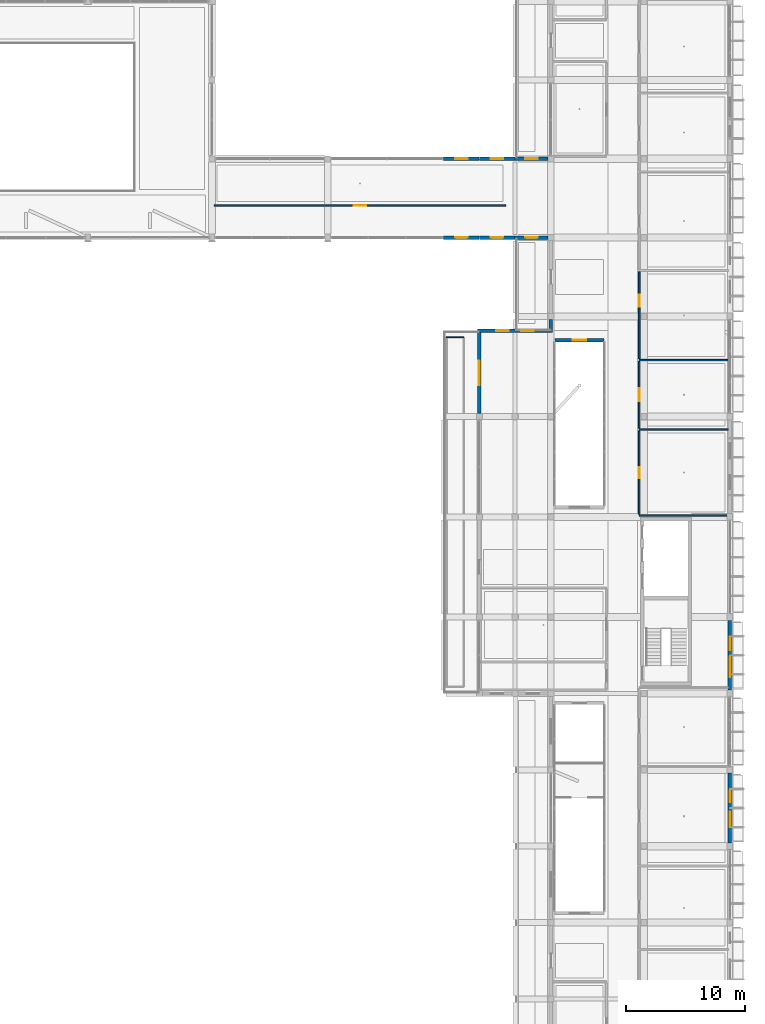
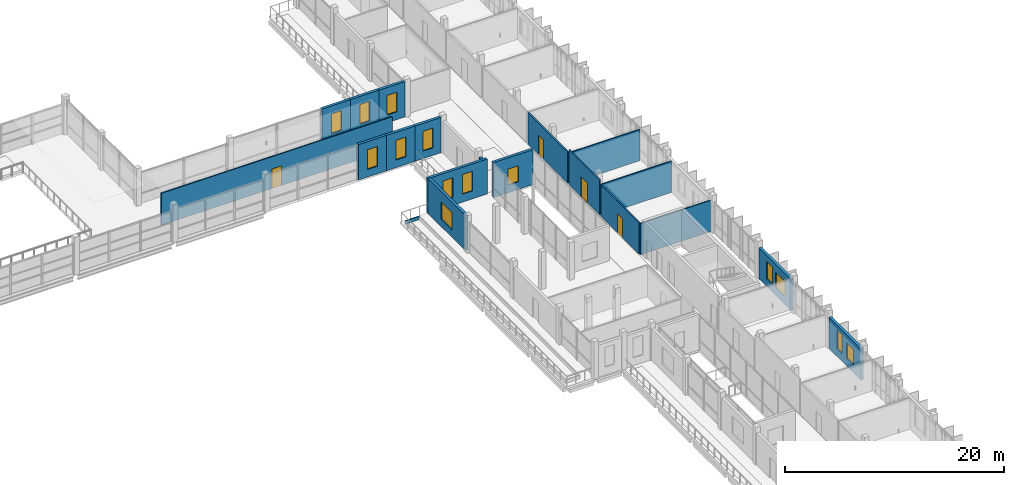
# One storey, part 54 of 85: 20 walls, 14 windows, 4 doors, 18 openings.
"""IFC4 building model written with IfcOpenShell, lengths in metres."""

from ifc_helpers import new_model, si_unit, derived_unit, direction, frame, frame_2d, origin, origin_with_axes, place, context, subcontext, project, spatial, rectangle, extrude, material, layer, layer_set, type_object, element, fill, save


model = new_model("IFC4")

# Units and contexts
model_context = context("Model", 3, precision=1e-05, world=origin(), true_north=direction((0.0, 1.0)))
body_context = subcontext(model_context, "Body", "Model", "MODEL_VIEW")
ifc_project = project(units=[si_unit("LENGTHUNIT", "METRE"), si_unit("AREAUNIT", "SQUARE_METRE"), si_unit("VOLUMEUNIT", "CUBIC_METRE"), si_unit("PLANEANGLEUNIT", "RADIAN"), si_unit("MASSUNIT", "GRAM", prefix="KILO"), derived_unit("THERMALTRANSMITTANCEUNIT", [(si_unit("POWERUNIT", "WATT"), 1), (si_unit("LENGTHUNIT", "METRE"), -2), (si_unit("THERMODYNAMICTEMPERATUREUNIT", "KELVIN"), -1)])], contexts=[model_context])

# Site, building, storey
site_placement = place(None, origin())
site = spatial("IfcSite", under=ifc_project, at=site_placement, CompositionType="ELEMENT")
building_placement = place(site_placement, origin())
building = spatial("IfcBuilding", under=site, at=building_placement, Name="Braskholm Square Health Centre", CompositionType="ELEMENT")
storey_placement = place(building_placement, frame((0.0, 0.0, 9.300048828125)))
storey = spatial("IfcBuildingStorey", under=building, at=storey_placement, Name="L03", CompositionType="ELEMENT", Elevation=9.300048828125)

# Wall, opening, door
ifc_material_1 = material(Name="Acoustic gypsum board partition")
ifc_layer_1 = layer(ifc_material_1, 0.125)
ifc_layer_set_1 = layer_set([ifc_layer_1], Name="Acoustic gypsum board partition")
wall_type_1 = type_object("IfcWallType", Name="ClinicalExamPartition125", PredefinedType="PARTITIONING", material=ifc_layer_set_1)
wall_1_placement = place(storey_placement, frame((156.199951171875, 64.02001953125, 0.0), z_axis=(0.0, 0.0, 1.0), x_axis=(0.0, 1.0, 0.0)))
wall_1 = element("IfcWall", 1, at=wall_1_placement, inside=storey, type_object=wall_type_1, Name="Interior partition PWALL-L03-0394", PredefinedType="PARTITIONING", context=body_context, shape_type="SweptSolid", body=[
    extrude(rectangle(XDim=6.97998046875, YDim=0.125, at=frame_2d((3.489990234375, 0.0))), origin(), (0.0, 0.0, 1.0), 3.494873046875),
])
opening_1_placement = place(wall_1_placement, frame((3.030029296875, 0.0, 0.0)))
opening_1 = element("IfcOpeningElement", 2, at=opening_1_placement, cuts=wall_1, Name="Opening D-01", PredefinedType="OPENING", context=body_context, shape_type="SweptSolid", body=[
    extrude(rectangle(XDim=0.919921875, YDim=2.14990234375, at=frame_2d((0.4599609375, 1.074951171875))), frame((0.0, 0.072509765625, 0.0), z_axis=(0.0, -1.0, 0.0), x_axis=(1.0, 0.0, 0.0)), (0.0, 0.0, 1.0), 0.14501953125),
])
ifc_material_2 = material(Name="Architectural bronze anodised aluminium", Category="aluminium")
door_type_1 = type_object("IfcDoorType", Name="DoorConsultSingle920x2150", OperationType="NOTDEFINED", PredefinedType="DOOR", material=ifc_material_2)
door_1_placement = place(opening_1_placement, frame((0.919921875, 0.0, 0.0), z_axis=(0.0, 0.0, 1.0), x_axis=(-1.0, 0.0, 0.0)))
door_1 = element("IfcDoor", 3, at=door_1_placement, inside=storey, type_object=door_type_1, Name="Interior door 0185 L03", OperationType="SINGLE_SWING_LEFT", OverallHeight=2.14990234375, OverallWidth=0.919921875, PredefinedType="DOOR", context=body_context, shape_type="SweptSolid", body=[
    extrude(rectangle(XDim=0.919921875, YDim=2.14990234375, at=frame_2d((0.4599609375, 1.074951171875))), frame((0.0, 0.02490234375, 0.0), z_axis=(0.0, -1.0, 0.0), x_axis=(1.0, 0.0, 0.0)), (0.0, 0.0, 1.0), 0.050048828125),
])
fill(opening_1, door_1)

# Walls
wall_2_placement = place(storey_placement, frame((156.199951171875, 63.89990234375, 0.0), z_axis=(0.0, 0.0, 1.0), x_axis=(1.0, 0.0, 0.0)))
element("IfcWall", 4, at=wall_2_placement, inside=storey, type_object=wall_type_1, Name="Interior partition PWALL-L03-0395", PredefinedType="PARTITIONING", context=body_context, shape_type="SweptSolid", body=[
    extrude(rectangle(XDim=7.4599609375, YDim=0.125, at=frame_2d((3.72998046875, 0.0))), origin(), (0.0, 0.0, 1.0), 3.494873046875),
])
wall_3_placement = place(storey_placement, frame((156.199951171875, 71.1201171875, 0.0), z_axis=(0.0, 0.0, 1.0), x_axis=(1.0, 0.0, 0.0)))
element("IfcWall", 5, at=wall_3_placement, inside=storey, type_object=wall_type_1, Name="Interior partition PWALL-L03-0396", PredefinedType="PARTITIONING", context=body_context, shape_type="SweptSolid", body=[
    extrude(rectangle(XDim=7.4599609375, YDim=0.125, at=frame_2d((3.72998046875, 0.0))), origin(), (0.0, 0.0, 1.0), 3.474853515625),
])

# Wall, opening, door
wall_4_placement = place(storey_placement, frame((156.199951171875, 71.239990234375, 0.0), z_axis=(0.0, 0.0, 1.0), x_axis=(0.0, 1.0, 0.0)))
wall_4 = element("IfcWall", 6, at=wall_4_placement, inside=storey, type_object=wall_type_1, Name="Interior partition PWALL-L03-0397", PredefinedType="PARTITIONING", context=body_context, shape_type="SweptSolid", body=[
    extrude(rectangle(XDim=5.580078125, YDim=0.125, at=frame_2d((2.7900390625, 0.0))), origin(), (0.0, 0.0, 1.0), 3.89501953125),
])
opening_2_placement = place(wall_4_placement, frame((2.22998046875, 0.0, 0.0)))
opening_2 = element("IfcOpeningElement", 7, at=opening_2_placement, cuts=wall_4, Name="Opening D-03", PredefinedType="OPENING", context=body_context, shape_type="SweptSolid", body=[
    extrude(rectangle(XDim=1.1201171875, YDim=2.199951171875, at=frame_2d((0.56005859375, 1.10009765625))), frame((0.0, 0.072509765625, 0.0), z_axis=(0.0, -1.0, 0.0), x_axis=(1.0, 0.0, 0.0)), (0.0, 0.0, 1.0), 0.14501953125),
])
door_type_2 = type_object("IfcDoorType", Name="DoorProcedure1120x2200", OperationType="NOTDEFINED", PredefinedType="DOOR", material=ifc_material_2)
door_2_placement = place(opening_2_placement, frame((1.1201171875, 0.0, 0.0), z_axis=(0.0, 0.0, 1.0), x_axis=(-1.0, 0.0, 0.0)))
door_2 = element("IfcDoor", 8, at=door_2_placement, inside=storey, type_object=door_type_2, Name="Interior door 0186 L03", OperationType="SINGLE_SWING_RIGHT", OverallHeight=2.199951171875, OverallWidth=1.1201171875, PredefinedType="DOOR", context=body_context, shape_type="SweptSolid", body=[
    extrude(rectangle(XDim=1.1201171875, YDim=2.199951171875, at=frame_2d((0.56005859375, 1.10009765625))), frame((0.0, 0.02490234375, 0.0), z_axis=(0.0, -1.0, 0.0), x_axis=(1.0, 0.0, 0.0)), (0.0, 0.0, 1.0), 0.050048828125),
])
fill(opening_2, door_2)

# Wall
wall_5_placement = place(storey_placement, frame((156.199951171875, 76.93994140625, 0.0), z_axis=(0.0, 0.0, 1.0), x_axis=(1.0, 0.0, 0.0)))
element("IfcWall", 9, at=wall_5_placement, inside=storey, type_object=wall_type_1, Name="Interior partition PWALL-L03-0398", PredefinedType="PARTITIONING", context=body_context, shape_type="SweptSolid", body=[
    extrude(rectangle(XDim=7.4599609375, YDim=0.125, at=frame_2d((3.72998046875, 0.0))), origin(), (0.0, 0.0, 1.0), 3.474853515625),
])

# Wall, opening, door
wall_6_placement = place(storey_placement, frame((120.60009765625, 89.89990234375, 0.0), z_axis=(0.0, 0.0, 1.0), x_axis=(1.0, 0.0, 0.0)))
wall_6 = element("IfcWall", 10, at=wall_6_placement, inside=storey, type_object=wall_type_1, Name="Interior partition PWALL-L03-0408", PredefinedType="PARTITIONING", context=body_context, shape_type="SweptSolid", body=[
    extrude(rectangle(XDim=24.39990234375, YDim=0.125, at=frame_2d((12.199951171875, 0.0))), origin(), (0.0, 0.0, 1.0), 3.56494140625),
])
opening_3_placement = place(wall_6_placement, frame((11.68994140625, 0.0, 0.0)))
opening_3 = element("IfcOpeningElement", 11, at=opening_3_placement, cuts=wall_6, Name="Opening D-25", PredefinedType="OPENING", context=body_context, shape_type="SweptSolid", body=[
    extrude(rectangle(XDim=1.02001953125, YDim=2.179931640625, at=frame_2d((0.510009765625, 1.08984375))), frame((0.0, 0.072509765625, 0.0), z_axis=(0.0, -1.0, 0.0), x_axis=(1.0, 0.0, 0.0)), (0.0, 0.0, 1.0), 0.14501953125),
])
door_type_3 = type_object("IfcDoorType", Name="DoorConsultWide1020x2180", OperationType="NOTDEFINED", PredefinedType="DOOR", material=ifc_material_2)
door_3_placement = place(opening_3_placement, origin_with_axes())
door_3 = element("IfcDoor", 12, at=door_3_placement, inside=storey, type_object=door_type_3, Name="Interior door 0192 L03", OperationType="SINGLE_SWING_RIGHT", OverallHeight=2.179931640625, OverallWidth=1.02001953125, PredefinedType="DOOR", context=body_context, shape_type="SweptSolid", body=[
    extrude(rectangle(XDim=1.02001953125, YDim=2.179931640625, at=frame_2d((0.510009765625, 1.08984375))), frame((0.0, 0.02490234375, 0.0), z_axis=(0.0, -1.0, 0.0), x_axis=(1.0, 0.0, 0.0)), (0.0, 0.0, 1.0), 0.050048828125),
])
fill(opening_3, door_3)

ifc_layer_2 = layer(ifc_material_1, 0.14990234375)
ifc_layer_set_2 = layer_set([ifc_layer_2], Name="Acoustic gypsum board partition")
wall_type_2 = type_object("IfcWallType", Name="CorridorAcousticPartition150", PredefinedType="PARTITIONING", material=ifc_layer_set_2)
wall_7_placement = place(storey_placement, frame((156.199951171875, 77.06005859375, 0.0), z_axis=(0.0, 0.0, 1.0), x_axis=(0.0, 1.0, 0.0)))
wall_7 = element("IfcWall", 13, at=wall_7_placement, inside=storey, type_object=wall_type_2, Name="Interior partition PWALL-L03-0399", PredefinedType="PARTITIONING", context=body_context, shape_type="SweptSolid", body=[
    extrude(rectangle(XDim=7.260009765625, YDim=0.14990234375, at=frame_2d((3.6298828125, 0.0))), origin(), (0.0, 0.0, 1.0), 3.494873046875),
])
opening_4_placement = place(wall_7_placement, frame((4.35302734375, 0.0, 0.0)))
opening_4 = element("IfcOpeningElement", 14, at=opening_4_placement, cuts=wall_7, Name="Opening D-10", PredefinedType="OPENING", context=body_context, shape_type="SweptSolid", body=[
    extrude(rectangle(XDim=0.97998046875, YDim=2.1201171875, at=frame_2d((0.489990234375, 1.06005859375))), frame((0.0, 0.0849609375, 0.0), z_axis=(0.0, -1.0, 0.0), x_axis=(1.0, 0.0, 0.0)), (0.0, 0.0, 1.0), 0.169921875),
])
door_type_4 = type_object("IfcDoorType", Name="DoorUtilityStore980x2120", OperationType="NOTDEFINED", PredefinedType="DOOR", material=ifc_material_2)
door_4_placement = place(opening_4_placement, frame((0.97998046875, 0.0, 0.0), z_axis=(0.0, 0.0, 1.0), x_axis=(-1.0, 0.0, 0.0)))
door_4 = element("IfcDoor", 15, at=door_4_placement, inside=storey, type_object=door_type_4, Name="Interior door 0187 L03", OperationType="SINGLE_SWING_LEFT", OverallHeight=2.1201171875, OverallWidth=0.97998046875, PredefinedType="DOOR", context=body_context, shape_type="SweptSolid", body=[
    extrude(rectangle(XDim=0.97998046875, YDim=2.1201171875, at=frame_2d((0.489990234375, 1.06005859375))), frame((0.0, 0.02490234375, 0.0), z_axis=(0.0, -1.0, 0.0), x_axis=(1.0, 0.0, 0.0)), (0.0, 0.0, 1.0), 0.050048828125),
])
fill(opening_4, door_4)

# Wall, openings, windows
ifc_material_3 = material(Name="Precast concrete C40/50 architectural white", Category="concrete")
ifc_layer_3 = layer(ifc_material_3, 0.280029296875)
ifc_layer_set_3 = layer_set([ifc_layer_3], Name="Precast concrete C40/50 architectural white")
wall_type_3 = type_object("IfcWallType", Name="ExteriorPrecastSpandrelWall280", PredefinedType="SOLIDWALL", material=ifc_layer_set_3)
wall_8_placement = place(storey_placement, frame((163.800048828125, 36.48193359375, 0.0), z_axis=(0.0, 0.0, 1.0), x_axis=(0.0, 1.0, 0.0)))
wall_8 = element("IfcWall", 16, at=wall_8_placement, inside=storey, type_object=wall_type_3, Name="Exterior wall EWALL-L03-0072", PredefinedType="SOLIDWALL", context=body_context, shape_type="SweptSolid", body=[
    extrude(rectangle(XDim=5.836181640625, YDim=0.280029296875, at=frame_2d((2.91796875, 0.0))), origin(), (0.0, 0.0, 1.0), 3.47998046875),
])
opening_5_placement = place(wall_8_placement, frame((1.294921875, 0.0, 0.8798828125)))
opening_5 = element("IfcOpeningElement", 17, at=opening_5_placement, cuts=wall_8, Name="Opening WN-17", PredefinedType="OPENING", context=body_context, shape_type="SweptSolid", body=[
    extrude(rectangle(XDim=1.300048828125, YDim=1.699951171875, at=frame_2d((0.64990234375, 0.85009765625))), frame((0.0, 0.14990234375, 0.0), z_axis=(0.0, -1.0, 0.0), x_axis=(1.0, 0.0, 0.0)), (0.0, 0.0, 1.0), 0.300048828125),
])
opening_6_placement = place(wall_8_placement, frame((3.40087890625, 0.0, 0.8798828125)))
opening_6 = element("IfcOpeningElement", 18, at=opening_6_placement, cuts=wall_8, Name="Opening WN-33", PredefinedType="OPENING", context=body_context, shape_type="SweptSolid", body=[
    extrude(rectangle(XDim=0.97998046875, YDim=2.10009765625, at=frame_2d((0.489990234375, 1.050048828125))), frame((0.0, 0.14990234375, 0.0), z_axis=(0.0, -1.0, 0.0), x_axis=(1.0, 0.0, 0.0)), (0.0, 0.0, 1.0), 0.300048828125),
])
ifc_material_4 = material(Name="Low-E triple insulating glass (VLT 0.64)", Category="glass")
window_type_1 = type_object("IfcWindowType", Name="WinArtDecoNarrow980x2100", PartitioningType="SINGLE_PANEL", PredefinedType="WINDOW", material=ifc_material_4)
window_1_placement = place(opening_6_placement, origin_with_axes())
window_1 = element("IfcWindow", 19, at=window_1_placement, inside=storey, type_object=window_type_1, Name="Exterior window 0126 L03", OverallHeight=2.10009765625, OverallWidth=0.97998046875, PartitioningType="SINGLE_PANEL", PredefinedType="WINDOW", context=body_context, shape_type="SweptSolid", body=[
    extrude(rectangle(XDim=0.97998046875, YDim=2.10009765625, at=frame_2d((0.489990234375, 1.050048828125))), frame((0.0, 0.030029296875, 0.0), z_axis=(0.0, -1.0, 0.0), x_axis=(1.0, 0.0, 0.0)), (0.0, 0.0, 1.0), 0.06005859375),
])
fill(opening_6, window_1)
window_type_2 = type_object("IfcWindowType", Name="WinDentalDaylight1300x1700", PartitioningType="SINGLE_PANEL", PredefinedType="WINDOW", material=ifc_material_4)
window_2_placement = place(opening_5_placement, origin_with_axes())
window_2 = element("IfcWindow", 20, at=window_2_placement, inside=storey, type_object=window_type_2, Name="Exterior window 0125 L03", OverallHeight=1.699951171875, OverallWidth=1.300048828125, PartitioningType="SINGLE_PANEL", PredefinedType="WINDOW", context=body_context, shape_type="SweptSolid", body=[
    extrude(rectangle(XDim=1.300048828125, YDim=1.699951171875, at=frame_2d((0.64990234375, 0.85009765625))), frame((0.0, 0.030029296875, 0.0), z_axis=(0.0, -1.0, 0.0), x_axis=(1.0, 0.0, 0.0)), (0.0, 0.0, 1.0), 0.06005859375),
])
fill(opening_5, window_2)

wall_9_placement = place(storey_placement, frame((163.800048828125, 49.281982421875, 0.0), z_axis=(0.0, 0.0, 1.0), x_axis=(0.0, 1.0, 0.0)))
wall_9 = element("IfcWall", 21, at=wall_9_placement, inside=storey, type_object=wall_type_3, Name="Exterior wall EWALL-L03-0073", PredefinedType="SOLIDWALL", context=body_context, shape_type="SweptSolid", body=[
    extrude(rectangle(XDim=5.8359375, YDim=0.280029296875, at=frame_2d((2.91796875, 0.0))), origin(), (0.0, 0.0, 1.0), 3.47998046875),
])
opening_7_placement = place(wall_9_placement, frame((1.094970703125, 0.0, 0.8798828125)))
opening_7 = element("IfcOpeningElement", 22, at=opening_7_placement, cuts=wall_9, Name="Opening WN-18", PredefinedType="OPENING", context=body_context, shape_type="SweptSolid", body=[
    extrude(rectangle(XDim=1.699951171875, YDim=1.699951171875, at=frame_2d((0.85009765625, 0.85009765625))), frame((0.0, 0.14990234375, 0.0), z_axis=(0.0, -1.0, 0.0), x_axis=(1.0, 0.0, 0.0)), (0.0, 0.0, 1.0), 0.300048828125),
])
opening_8_placement = place(wall_9_placement, frame((3.3310546875, 0.0, 0.8798828125)))
opening_8 = element("IfcOpeningElement", 23, at=opening_8_placement, cuts=wall_9, Name="Opening WN-34", PredefinedType="OPENING", context=body_context, shape_type="SweptSolid", body=[
    extrude(rectangle(XDim=1.1201171875, YDim=1.949951171875, at=frame_2d((0.56005859375, 0.97509765625))), frame((0.0, 0.14990234375, 0.0), z_axis=(0.0, -1.0, 0.0), x_axis=(1.0, 0.0, 0.0)), (0.0, 0.0, 1.0), 0.300048828125),
])
window_type_3 = type_object("IfcWindowType", Name="WinArtDecoMed1120x1950", PartitioningType="SINGLE_PANEL", PredefinedType="WINDOW", material=ifc_material_4)
window_3_placement = place(opening_8_placement, origin_with_axes())
window_3 = element("IfcWindow", 24, at=window_3_placement, inside=storey, type_object=window_type_3, Name="Exterior window 0128 L03", OverallHeight=1.949951171875, OverallWidth=1.1201171875, PartitioningType="SINGLE_PANEL", PredefinedType="WINDOW", context=body_context, shape_type="SweptSolid", body=[
    extrude(rectangle(XDim=1.1201171875, YDim=1.949951171875, at=frame_2d((0.56005859375, 0.97509765625))), frame((0.0, 0.030029296875, 0.0), z_axis=(0.0, -1.0, 0.0), x_axis=(1.0, 0.0, 0.0)), (0.0, 0.0, 1.0), 0.06005859375),
])
fill(opening_8, window_3)
window_type_4 = type_object("IfcWindowType", Name="WinDentalDaylight1700x1700", PartitioningType="SINGLE_PANEL", PredefinedType="WINDOW", material=ifc_material_4)
window_4_placement = place(opening_7_placement, origin_with_axes())
window_4 = element("IfcWindow", 25, at=window_4_placement, inside=storey, type_object=window_type_4, Name="Exterior window 0127 L03", OverallHeight=1.699951171875, OverallWidth=1.699951171875, PartitioningType="SINGLE_PANEL", PredefinedType="WINDOW", context=body_context, shape_type="SweptSolid", body=[
    extrude(rectangle(XDim=1.699951171875, YDim=1.699951171875, at=frame_2d((0.85009765625, 0.85009765625))), frame((0.0, 0.030029296875, 0.0), z_axis=(0.0, -1.0, 0.0), x_axis=(1.0, 0.0, 0.0)), (0.0, 0.0, 1.0), 0.06005859375),
])
fill(opening_7, window_4)

# Wall, opening, window
wall_10_placement = place(storey_placement, frame((142.800048828125, 79.258056640625, 0.0), z_axis=(0.0, 0.0, 1.0), x_axis=(0.0, -1.0, 0.0)))
wall_10 = element("IfcWall", 26, at=wall_10_placement, inside=storey, type_object=wall_type_3, Name="Exterior wall EWALL-L03-0188", PredefinedType="SOLIDWALL", context=body_context, shape_type="SweptSolid", body=[
    extrude(rectangle(XDim=6.80615234375, YDim=0.280029296875, at=frame_2d((3.403076171875, 0.0))), origin(), (0.0, 0.0, 1.0), 3.949951171875),
])
opening_9_placement = place(wall_10_placement, frame((2.3779296875, 0.0, 0.800048828125)))
opening_9 = element("IfcOpeningElement", 27, at=opening_9_placement, cuts=wall_10, Name="Opening WN-25", PredefinedType="OPENING", context=body_context, shape_type="SweptSolid", body=[
    extrude(rectangle(XDim=2.050048828125, YDim=1.949951171875, at=frame_2d((1.02490234375, 0.97509765625))), frame((0.0, 0.14990234375, 0.0), z_axis=(0.0, -1.0, 0.0), x_axis=(1.0, 0.0, 0.0)), (0.0, 0.0, 1.0), 0.300048828125),
])
window_type_5 = type_object("IfcWindowType", Name="WinValleyTerrace2050x1950", PartitioningType="SINGLE_PANEL", PredefinedType="WINDOW", material=ifc_material_4)
window_5_placement = place(opening_9_placement, origin_with_axes())
window_5 = element("IfcWindow", 28, at=window_5_placement, inside=storey, type_object=window_type_5, Name="Exterior window 0245 L03", OverallHeight=1.949951171875, OverallWidth=2.050048828125, PartitioningType="SINGLE_PANEL", PredefinedType="WINDOW", context=body_context, shape_type="SweptSolid", body=[
    extrude(rectangle(XDim=2.050048828125, YDim=1.949951171875, at=frame_2d((1.02490234375, 0.97509765625))), frame((0.0, 0.030029296875, 0.0), z_axis=(0.0, -1.0, 0.0), x_axis=(1.0, 0.0, 0.0)), (0.0, 0.0, 1.0), 0.06005859375),
])
fill(opening_9, window_5)

# Wall
wall_11_placement = place(storey_placement, frame((148.800048828125, 80.347900390625, 0.0), z_axis=(0.0, 0.0, 1.0), x_axis=(0.0, -1.0, 0.0)))
element("IfcWall", 29, at=wall_11_placement, inside=storey, type_object=wall_type_3, Name="Exterior wall EWALL-L03-0189", PredefinedType="SOLIDWALL", context=body_context, shape_type="SweptSolid", body=[
    extrude(rectangle(XDim=0.805908203125, YDim=0.280029296875, at=frame_2d((0.40283203125, 0.0))), origin(), (0.0, 0.0, 1.0), 3.52001953125),
])

# Wall, openings, windows
wall_12_placement = place(storey_placement, frame((148.93994140625, 79.39990234375, 0.0), z_axis=(0.0, 0.0, 1.0), x_axis=(-1.0, 0.0, 0.0)))
wall_12 = element("IfcWall", 30, at=wall_12_placement, inside=storey, type_object=wall_type_3, Name="Exterior wall EWALL-L03-0222", PredefinedType="SOLIDWALL", context=body_context, shape_type="SweptSolid", body=[
    extrude(rectangle(XDim=6.280029296875, YDim=0.280029296875, at=frame_2d((3.14013671875, 0.0))), origin(), (0.0, 0.0, 1.0), 3.89990234375),
])
opening_10_placement = place(wall_12_placement, frame((1.568115234375, 0.0, 0.8798828125)))
opening_10 = element("IfcOpeningElement", 31, at=opening_10_placement, cuts=wall_12, Name="Opening WN-02", PredefinedType="OPENING", context=body_context, shape_type="SweptSolid", body=[
    extrude(rectangle(XDim=1.050048828125, YDim=2.199951171875, at=frame_2d((0.52490234375, 1.10009765625))), frame((0.0, 0.14990234375, 0.0), z_axis=(0.0, -1.0, 0.0), x_axis=(1.0, 0.0, 0.0)), (0.0, 0.0, 1.0), 0.300048828125),
])
opening_11_placement = place(wall_12_placement, frame((3.662109375, 0.0, 0.8798828125)))
opening_11 = element("IfcOpeningElement", 32, at=opening_11_placement, cuts=wall_12, Name="Opening WN-02", PredefinedType="OPENING", context=body_context, shape_type="SweptSolid", body=[
    extrude(rectangle(XDim=1.050048828125, YDim=2.199951171875, at=frame_2d((0.52490234375, 1.10009765625))), frame((0.0, 0.14990234375, 0.0), z_axis=(0.0, -1.0, 0.0), x_axis=(1.0, 0.0, 0.0)), (0.0, 0.0, 1.0), 0.300048828125),
])
window_type_6 = type_object("IfcWindowType", Name="WinArtDecoLancet1050x2200", PartitioningType="SINGLE_PANEL", PredefinedType="WINDOW", material=ifc_material_4)
window_6_placement = place(opening_10_placement, origin_with_axes())
window_6 = element("IfcWindow", 33, at=window_6_placement, inside=storey, type_object=window_type_6, Name="Exterior window 0276 L03", OverallHeight=2.199951171875, OverallWidth=1.050048828125, PartitioningType="SINGLE_PANEL", PredefinedType="WINDOW", context=body_context, shape_type="SweptSolid", body=[
    extrude(rectangle(XDim=1.050048828125, YDim=2.199951171875, at=frame_2d((0.52490234375, 1.10009765625))), frame((0.0, 0.030029296875, 0.0), z_axis=(0.0, -1.0, 0.0), x_axis=(1.0, 0.0, 0.0)), (0.0, 0.0, 1.0), 0.06005859375),
])
fill(opening_10, window_6)
window_7_placement = place(opening_11_placement, origin_with_axes())
window_7 = element("IfcWindow", 34, at=window_7_placement, inside=storey, type_object=window_type_6, Name="Exterior window 0277 L03", OverallHeight=2.199951171875, OverallWidth=1.050048828125, PartitioningType="SINGLE_PANEL", PredefinedType="WINDOW", context=body_context, shape_type="SweptSolid", body=[
    extrude(rectangle(XDim=1.050048828125, YDim=2.199951171875, at=frame_2d((0.52490234375, 1.10009765625))), frame((0.0, 0.030029296875, 0.0), z_axis=(0.0, -1.0, 0.0), x_axis=(1.0, 0.0, 0.0)), (0.0, 0.0, 1.0), 0.06005859375),
])
fill(opening_11, window_7)

# Wall, opening, window
wall_13_placement = place(storey_placement, frame((139.804931640625, 87.199951171875, 0.0), z_axis=(0.0, 0.0, 1.0), x_axis=(1.0, 0.0, 0.0)))
wall_13 = element("IfcWall", 35, at=wall_13_placement, inside=storey, type_object=wall_type_3, Name="Exterior wall EWALL-L03-0270", PredefinedType="SOLIDWALL", context=body_context, shape_type="SweptSolid", body=[
    extrude(rectangle(XDim=2.989990234375, YDim=0.280029296875, at=frame_2d((1.4951171875, 0.0))), origin(), (0.0, 0.0, 1.0), 3.949951171875),
])
opening_12_placement = place(wall_13_placement, frame((0.969970703125, 0.0, 0.85009765625)))
opening_12 = element("IfcOpeningElement", 36, at=opening_12_placement, cuts=wall_13, Name="Opening WN-02", PredefinedType="OPENING", context=body_context, shape_type="SweptSolid", body=[
    extrude(rectangle(XDim=1.050048828125, YDim=2.199951171875, at=frame_2d((0.52490234375, 1.10009765625))), frame((0.0, 0.14990234375, 0.0), z_axis=(0.0, -1.0, 0.0), x_axis=(1.0, 0.0, 0.0)), (0.0, 0.0, 1.0), 0.300048828125),
])
window_8_placement = place(opening_12_placement, origin_with_axes())
window_8 = element("IfcWindow", 37, at=window_8_placement, inside=storey, type_object=window_type_6, Name="Exterior window 0317 L03", OverallHeight=2.199951171875, OverallWidth=1.050048828125, PartitioningType="SINGLE_PANEL", PredefinedType="WINDOW", context=body_context, shape_type="SweptSolid", body=[
    extrude(rectangle(XDim=1.050048828125, YDim=2.199951171875, at=frame_2d((0.52490234375, 1.10009765625))), frame((0.0, 0.030029296875, 0.0), z_axis=(0.0, -1.0, 0.0), x_axis=(1.0, 0.0, 0.0)), (0.0, 0.0, 1.0), 0.06005859375),
])
fill(opening_12, window_8)

wall_14_placement = place(storey_placement, frame((142.794921875, 93.800048828125, 0.0), z_axis=(0.0, 0.0, 1.0), x_axis=(-1.0, 0.0, 0.0)))
wall_14 = element("IfcWall", 38, at=wall_14_placement, inside=storey, type_object=wall_type_3, Name="Exterior wall EWALL-L03-0273", PredefinedType="SOLIDWALL", context=body_context, shape_type="SweptSolid", body=[
    extrude(rectangle(XDim=2.989990234375, YDim=0.280029296875, at=frame_2d((1.4951171875, 0.0))), origin(), (0.0, 0.0, 1.0), 3.949951171875),
])
opening_13_placement = place(wall_14_placement, frame((0.969970703125, 0.0, 0.85009765625)))
opening_13 = element("IfcOpeningElement", 39, at=opening_13_placement, cuts=wall_14, Name="Opening WN-02", PredefinedType="OPENING", context=body_context, shape_type="SweptSolid", body=[
    extrude(rectangle(XDim=1.050048828125, YDim=2.199951171875, at=frame_2d((0.52490234375, 1.10009765625))), frame((0.0, 0.14990234375, 0.0), z_axis=(0.0, -1.0, 0.0), x_axis=(1.0, 0.0, 0.0)), (0.0, 0.0, 1.0), 0.300048828125),
])
window_9_placement = place(opening_13_placement, origin_with_axes())
window_9 = element("IfcWindow", 40, at=window_9_placement, inside=storey, type_object=window_type_6, Name="Exterior window 0320 L03", OverallHeight=2.199951171875, OverallWidth=1.050048828125, PartitioningType="SINGLE_PANEL", PredefinedType="WINDOW", context=body_context, shape_type="SweptSolid", body=[
    extrude(rectangle(XDim=1.050048828125, YDim=2.199951171875, at=frame_2d((0.52490234375, 1.10009765625))), frame((0.0, 0.030029296875, 0.0), z_axis=(0.0, -1.0, 0.0), x_axis=(1.0, 0.0, 0.0)), (0.0, 0.0, 1.0), 0.06005859375),
])
fill(opening_13, window_9)

wall_15_placement = place(storey_placement, frame((142.804931640625, 87.199951171875, 0.0), z_axis=(0.0, 0.0, 1.0), x_axis=(1.0, 0.0, 0.0)))
wall_15 = element("IfcWall", 41, at=wall_15_placement, inside=storey, type_object=wall_type_3, Name="Exterior wall EWALL-L03-0276", PredefinedType="SOLIDWALL", context=body_context, shape_type="SweptSolid", body=[
    extrude(rectangle(XDim=2.989990234375, YDim=0.280029296875, at=frame_2d((1.4951171875, 0.0))), origin(), (0.0, 0.0, 1.0), 3.949951171875),
])
opening_14_placement = place(wall_15_placement, frame((0.969970703125, 0.0, 0.85009765625)))
opening_14 = element("IfcOpeningElement", 42, at=opening_14_placement, cuts=wall_15, Name="Opening WN-02", PredefinedType="OPENING", context=body_context, shape_type="SweptSolid", body=[
    extrude(rectangle(XDim=1.050048828125, YDim=2.199951171875, at=frame_2d((0.52490234375, 1.10009765625))), frame((0.0, 0.14990234375, 0.0), z_axis=(0.0, -1.0, 0.0), x_axis=(1.0, 0.0, 0.0)), (0.0, 0.0, 1.0), 0.300048828125),
])
window_10_placement = place(opening_14_placement, origin_with_axes())
window_10 = element("IfcWindow", 43, at=window_10_placement, inside=storey, type_object=window_type_6, Name="Exterior window 0323 L03", OverallHeight=2.199951171875, OverallWidth=1.050048828125, PartitioningType="SINGLE_PANEL", PredefinedType="WINDOW", context=body_context, shape_type="SweptSolid", body=[
    extrude(rectangle(XDim=1.050048828125, YDim=2.199951171875, at=frame_2d((0.52490234375, 1.10009765625))), frame((0.0, 0.030029296875, 0.0), z_axis=(0.0, -1.0, 0.0), x_axis=(1.0, 0.0, 0.0)), (0.0, 0.0, 1.0), 0.06005859375),
])
fill(opening_14, window_10)

wall_16_placement = place(storey_placement, frame((145.794921875, 93.800048828125, 0.0), z_axis=(0.0, 0.0, 1.0), x_axis=(-1.0, 0.0, 0.0)))
wall_16 = element("IfcWall", 44, at=wall_16_placement, inside=storey, type_object=wall_type_3, Name="Exterior wall EWALL-L03-0279", PredefinedType="SOLIDWALL", context=body_context, shape_type="SweptSolid", body=[
    extrude(rectangle(XDim=2.989990234375, YDim=0.280029296875, at=frame_2d((1.4951171875, 0.0))), origin(), (0.0, 0.0, 1.0), 3.949951171875),
])
opening_15_placement = place(wall_16_placement, frame((0.969970703125, 0.0, 0.85009765625)))
opening_15 = element("IfcOpeningElement", 45, at=opening_15_placement, cuts=wall_16, Name="Opening WN-02", PredefinedType="OPENING", context=body_context, shape_type="SweptSolid", body=[
    extrude(rectangle(XDim=1.050048828125, YDim=2.199951171875, at=frame_2d((0.52490234375, 1.10009765625))), frame((0.0, 0.14990234375, 0.0), z_axis=(0.0, -1.0, 0.0), x_axis=(1.0, 0.0, 0.0)), (0.0, 0.0, 1.0), 0.300048828125),
])
window_11_placement = place(opening_15_placement, origin_with_axes())
window_11 = element("IfcWindow", 46, at=window_11_placement, inside=storey, type_object=window_type_6, Name="Exterior window 0326 L03", OverallHeight=2.199951171875, OverallWidth=1.050048828125, PartitioningType="SINGLE_PANEL", PredefinedType="WINDOW", context=body_context, shape_type="SweptSolid", body=[
    extrude(rectangle(XDim=1.050048828125, YDim=2.199951171875, at=frame_2d((0.52490234375, 1.10009765625))), frame((0.0, 0.030029296875, 0.0), z_axis=(0.0, -1.0, 0.0), x_axis=(1.0, 0.0, 0.0)), (0.0, 0.0, 1.0), 0.06005859375),
])
fill(opening_15, window_11)

wall_17_placement = place(storey_placement, frame((145.804931640625, 87.199951171875, 0.0), z_axis=(0.0, 0.0, 1.0), x_axis=(1.0, 0.0, 0.0)))
wall_17 = element("IfcWall", 47, at=wall_17_placement, inside=storey, type_object=wall_type_3, Name="Exterior wall EWALL-L03-0280", PredefinedType="SOLIDWALL", context=body_context, shape_type="SweptSolid", body=[
    extrude(rectangle(XDim=2.7431640625, YDim=0.280029296875, at=frame_2d((1.37158203125, 0.0))), origin(), (0.0, 0.0, 1.0), 3.949951171875),
])
opening_16_placement = place(wall_17_placement, frame((0.845947265625, 0.0, 0.85009765625)))
opening_16 = element("IfcOpeningElement", 48, at=opening_16_placement, cuts=wall_17, Name="Opening WN-02", PredefinedType="OPENING", context=body_context, shape_type="SweptSolid", body=[
    extrude(rectangle(XDim=1.050048828125, YDim=2.199951171875, at=frame_2d((0.52490234375, 1.10009765625))), frame((0.0, 0.14990234375, 0.0), z_axis=(0.0, -1.0, 0.0), x_axis=(1.0, 0.0, 0.0)), (0.0, 0.0, 1.0), 0.300048828125),
])
window_12_placement = place(opening_16_placement, origin_with_axes())
window_12 = element("IfcWindow", 49, at=window_12_placement, inside=storey, type_object=window_type_6, Name="Exterior window 0327 L03", OverallHeight=2.199951171875, OverallWidth=1.050048828125, PartitioningType="SINGLE_PANEL", PredefinedType="WINDOW", context=body_context, shape_type="SweptSolid", body=[
    extrude(rectangle(XDim=1.050048828125, YDim=2.199951171875, at=frame_2d((0.52490234375, 1.10009765625))), frame((0.0, 0.030029296875, 0.0), z_axis=(0.0, -1.0, 0.0), x_axis=(1.0, 0.0, 0.0)), (0.0, 0.0, 1.0), 0.06005859375),
])
fill(opening_16, window_12)

wall_18_placement = place(storey_placement, frame((148.548095703125, 93.800048828125, 0.0), z_axis=(0.0, 0.0, 1.0), x_axis=(-1.0, 0.0, 0.0)))
wall_18 = element("IfcWall", 50, at=wall_18_placement, inside=storey, type_object=wall_type_3, Name="Exterior wall EWALL-L03-0281", PredefinedType="SOLIDWALL", context=body_context, shape_type="SweptSolid", body=[
    extrude(rectangle(XDim=2.7431640625, YDim=0.280029296875, at=frame_2d((1.37158203125, 0.0))), origin(), (0.0, 0.0, 1.0), 3.949951171875),
])
opening_17_placement = place(wall_18_placement, frame((0.845947265625, 0.0, 0.85009765625)))
opening_17 = element("IfcOpeningElement", 51, at=opening_17_placement, cuts=wall_18, Name="Opening WN-02", PredefinedType="OPENING", context=body_context, shape_type="SweptSolid", body=[
    extrude(rectangle(XDim=1.050048828125, YDim=2.199951171875, at=frame_2d((0.52490234375, 1.10009765625))), frame((0.0, 0.14990234375, 0.0), z_axis=(0.0, -1.0, 0.0), x_axis=(1.0, 0.0, 0.0)), (0.0, 0.0, 1.0), 0.300048828125),
])
window_13_placement = place(opening_17_placement, origin_with_axes())
window_13 = element("IfcWindow", 52, at=window_13_placement, inside=storey, type_object=window_type_6, Name="Exterior window 0328 L03", OverallHeight=2.199951171875, OverallWidth=1.050048828125, PartitioningType="SINGLE_PANEL", PredefinedType="WINDOW", context=body_context, shape_type="SweptSolid", body=[
    extrude(rectangle(XDim=1.050048828125, YDim=2.199951171875, at=frame_2d((0.52490234375, 1.10009765625))), frame((0.0, 0.030029296875, 0.0), z_axis=(0.0, -1.0, 0.0), x_axis=(1.0, 0.0, 0.0)), (0.0, 0.0, 1.0), 0.06005859375),
])
fill(opening_17, window_13)

wall_19_placement = place(storey_placement, frame((149.134033203125, 78.60009765625, 0.0), z_axis=(0.0, 0.0, 1.0), x_axis=(1.0, 0.0, 0.0)))
wall_19 = element("IfcWall", 53, at=wall_19_placement, inside=storey, type_object=wall_type_3, Name="Exterior wall EWALL-L03-0322", PredefinedType="SOLIDWALL", context=body_context, shape_type="SweptSolid", body=[
    extrude(rectangle(XDim=4.132080078125, YDim=0.280029296875, at=frame_2d((2.06591796875, 0.0))), origin(), (0.0, 0.0, 1.0), 3.89990234375),
])
opening_18_placement = place(wall_19_placement, frame((1.51611328125, 0.0, 0.85009765625)))
opening_18 = element("IfcOpeningElement", 54, at=opening_18_placement, cuts=wall_19, Name="Opening WN-26", PredefinedType="OPENING", context=body_context, shape_type="SweptSolid", body=[
    extrude(rectangle(XDim=1.10009765625, YDim=1.800048828125, at=frame_2d((0.550048828125, 0.89990234375))), frame((0.0, 0.14990234375, 0.0), z_axis=(0.0, -1.0, 0.0), x_axis=(1.0, 0.0, 0.0)), (0.0, 0.0, 1.0), 0.300048828125),
])
window_type_7 = type_object("IfcWindowType", Name="WinLightCourt1100x1800", PartitioningType="SINGLE_PANEL", PredefinedType="WINDOW", material=ifc_material_4)
window_14_placement = place(opening_18_placement, origin_with_axes())
window_14 = element("IfcWindow", 55, at=window_14_placement, inside=storey, type_object=window_type_7, Name="Exterior window 0368 L03", OverallHeight=1.800048828125, OverallWidth=1.10009765625, PartitioningType="SINGLE_PANEL", PredefinedType="WINDOW", context=body_context, shape_type="SweptSolid", body=[
    extrude(rectangle(XDim=1.10009765625, YDim=1.800048828125, at=frame_2d((0.550048828125, 0.89990234375))), frame((0.0, 0.030029296875, 0.0), z_axis=(0.0, -1.0, 0.0), x_axis=(1.0, 0.0, 0.0)), (0.0, 0.0, 1.0), 0.06005859375),
])
fill(opening_18, window_14)

# Wall
ifc_layer_4 = layer(ifc_material_3, 0.10009765625)
ifc_layer_set_4 = layer_set([ifc_layer_4], Name="Precast concrete C40/50 architectural white")
wall_type_4 = type_object("IfcWallType", Name="SteppedPrecastParapet100", PredefinedType="PARAPET", material=ifc_layer_set_4)
wall_20_placement = place(storey_placement, frame((141.5, 78.85009765625, 0.0), z_axis=(0.0, 0.0, 1.0), x_axis=(-1.0, 0.0, 0.0)))
element("IfcWall", 56, at=wall_20_placement, inside=storey, type_object=wall_type_4, Name="Stepped precast planter parapet 015", PredefinedType="PARAPET", context=body_context, shape_type="SweptSolid", body=[
    extrude(rectangle(XDim=1.449951171875, YDim=0.10009765625, at=frame_2d((0.72509765625, 0.0))), origin(), (0.0, 0.0, 1.0), 0.3798828125),
])

save(model, "model.ifc")
